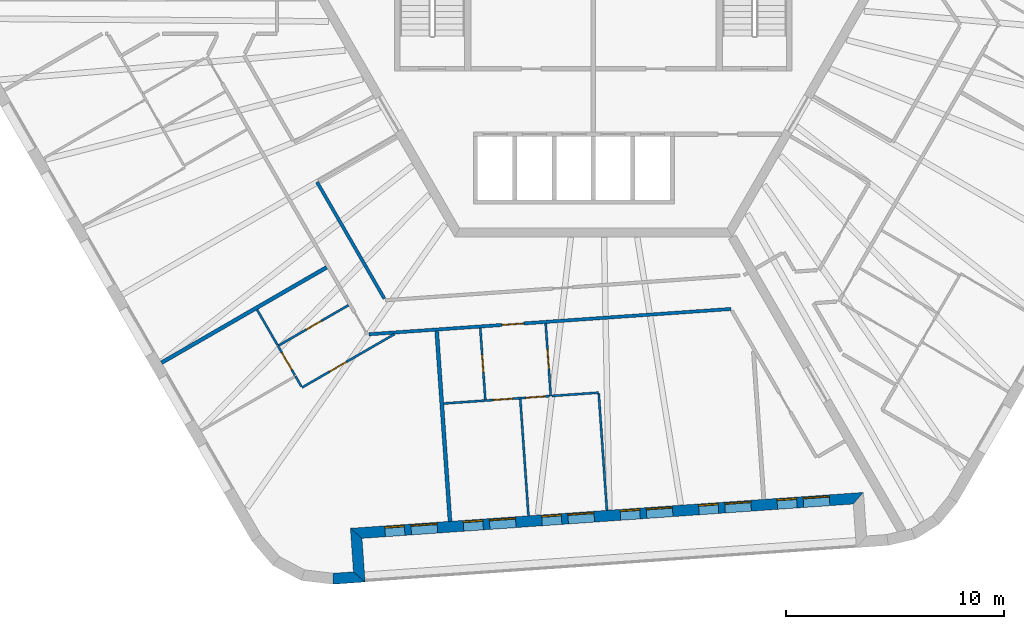
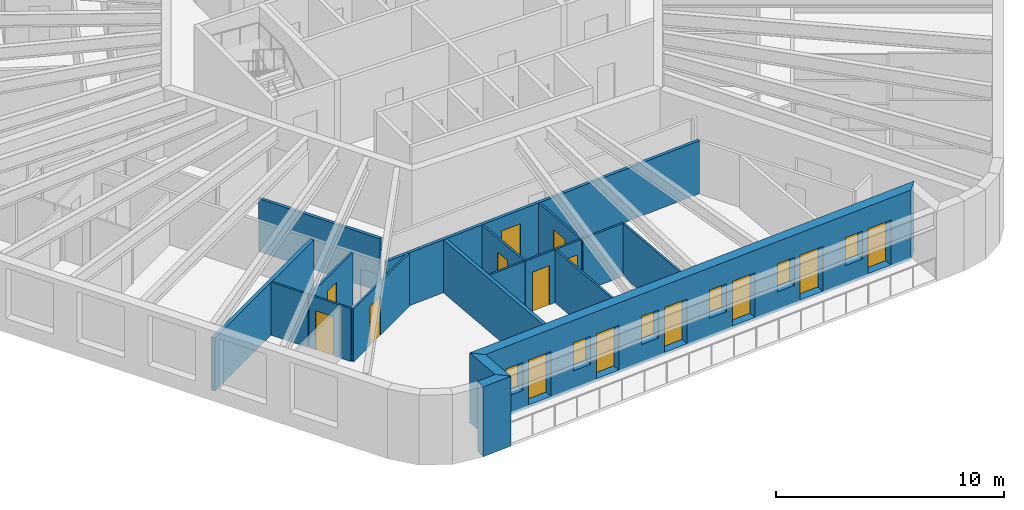
# One storey, part 3 of 12: 19 walls, 14 doors, 6 windows, 20 openings.
"""IFC4 building model written with IfcOpenShell, lengths in metres."""

from ifc_helpers import new_model, si_unit, direction, frame, frame_2d, origin, place, context, subcontext, project, spatial, polyline, rectangle, outline, extrude, material, layer, layer_set, type_object, element, fill, save


model = new_model("IFC4")

# Units and contexts
model_context = context("Model", 3, precision=1e-05, world=origin(), true_north=direction((0.0, 1.0)))
body_context = subcontext(model_context, "Body", "Model", "MODEL_VIEW")
ifc_project = project(units=[si_unit("LENGTHUNIT", "METRE"), si_unit("AREAUNIT", "SQUARE_METRE"), si_unit("VOLUMEUNIT", "CUBIC_METRE"), si_unit("PLANEANGLEUNIT", "RADIAN"), si_unit("MASSUNIT", "GRAM", prefix="KILO")], contexts=[model_context])

# Site, building, storey
site_placement = place(None, origin())
site = spatial("IfcSite", under=ifc_project, at=site_placement, CompositionType="ELEMENT")
building_placement = place(site_placement, origin())
building = spatial("IfcBuilding", under=site, at=building_placement, Name="Tarnside Tower", CompositionType="ELEMENT")
storey_placement = place(building_placement, frame((0.0, 0.0, 334.199951171875)))
storey = spatial("IfcBuildingStorey", under=building, at=storey_placement, Name="L81", CompositionType="ELEMENT", Elevation=334.199951171875)

# Wall, opening, door
ifc_material_1 = material(Name="Gypsum board partition on steel studs", Category="steel")
ifc_layer_1 = layer(ifc_material_1, 0.10009765625)
ifc_layer_set_1 = layer_set([ifc_layer_1], Name="Bathroom wall 100")
wall_type_1 = type_object("IfcWallType", Name="Bathroom wall 100", PredefinedType="PARTITIONING", material=ifc_layer_set_1)
wall_1_placement = place(storey_placement, frame((-11.215087890625, -14.124755859375, 0.0), z_axis=(0.0, 0.0, 1.0), x_axis=(-0.866028424924, -0.499994767197, 0.0)))
wall_1 = element("IfcWall", 1, at=wall_1_placement, inside=storey, type_object=wall_type_1, Name="Bathroom wall 26125", PredefinedType="PARTITIONING", context=body_context, shape_type="SweptSolid", body=[
    extrude(rectangle(XDim=3.72509765625, YDim=0.10009765625, at=frame_2d((1.862548828125, 0.0))), origin(), (0.0, 0.0, 1.0), 2.837890625),
])
opening_1_placement = place(wall_1_placement, frame((1.425048828125, 0.0, 0.0)))
opening_1 = element("IfcOpeningElement", 2, at=opening_1_placement, cuts=wall_1, Name="Opening D-B1", PredefinedType="OPENING", context=body_context, shape_type="SweptSolid", body=[
    extrude(rectangle(XDim=0.800048828125, YDim=2.10009765625, at=frame_2d((0.39990234375, 1.050048828125))), frame((0.0, 0.06005859375, 0.0), z_axis=(0.0, -1.0, 0.0), x_axis=(1.0, 0.0, 0.0)), (0.0, 0.0, 1.0), 0.1201171875),
])
ifc_material_2 = material(Name="Timber door leaf", Category="wood")
door_type_1 = type_object("IfcDoorType", Name="Bathroom door 800", OperationType="NOTDEFINED", PredefinedType="DOOR", material=ifc_material_2)
door_1_placement = place(opening_1_placement, origin())
door_1 = element("IfcDoor", 3, at=door_1_placement, inside=storey, type_object=door_type_1, Name="Bathroom door 26031", OperationType="SINGLE_SWING_RIGHT", OverallHeight=2.10009765625, OverallWidth=0.800048828125, PredefinedType="DOOR", context=body_context, shape_type="SweptSolid", body=[
    extrude(rectangle(XDim=0.800048828125, YDim=2.10009765625, at=frame_2d((0.39990234375, 1.050048828125))), frame((0.0, 0.02490234375, 0.0), z_axis=(0.0, -1.0, 0.0), x_axis=(1.0, 0.0, 0.0)), (0.0, 0.0, 1.0), 0.050048828125),
])
fill(opening_1, door_1)

# Wall
wall_2_placement = place(storey_placement, frame((-15.396240234375, -14.333251953125, 0.0), z_axis=(0.0, 0.0, 1.0), x_axis=(0.500115926523, -0.865958463229, 0.0)))
element("IfcWall", 4, at=wall_2_placement, inside=storey, type_object=wall_type_1, Name="Bathroom wall 26127", PredefinedType="PARTITIONING", context=body_context, shape_type="SweptSolid", body=[
    extrude(rectangle(XDim=1.86181640625, YDim=0.10009765625, at=frame_2d((0.930908203125, 0.0))), origin(), (0.0, 0.0, 1.0), 2.837890625),
])

# Wall, opening, door
wall_3_placement = place(storey_placement, frame((-5.178955078125, -15.17333984375, 0.0), z_axis=(0.0, 0.0, 1.0), x_axis=(0.069754598287, -0.997564181403, 0.0)))
wall_3 = element("IfcWall", 5, at=wall_3_placement, inside=storey, type_object=wall_type_1, Name="Bathroom wall 26132", PredefinedType="PARTITIONING", context=body_context, shape_type="SweptSolid", body=[
    extrude(rectangle(XDim=3.324951171875, YDim=0.10009765625, at=frame_2d((1.66259765625, 0.0))), origin(), (0.0, 0.0, 1.0), 2.837890625),
])
opening_2_placement = place(wall_3_placement, frame((1.22509765625, 0.0, 0.0)))
opening_2 = element("IfcOpeningElement", 6, at=opening_2_placement, cuts=wall_3, Name="Opening D-B1", PredefinedType="OPENING", context=body_context, shape_type="SweptSolid", body=[
    extrude(rectangle(XDim=0.800048828125, YDim=2.10009765625, at=frame_2d((0.39990234375, 1.050048828125))), frame((0.0, 0.06005859375, 0.0), z_axis=(0.0, -1.0, 0.0), x_axis=(1.0, 0.0, 0.0)), (0.0, 0.0, 1.0), 0.1201171875),
])
door_2_placement = place(opening_2_placement, origin())
door_2 = element("IfcDoor", 7, at=door_2_placement, inside=storey, type_object=door_type_1, Name="Bathroom door 26035", OperationType="SINGLE_SWING_RIGHT", OverallHeight=2.10009765625, OverallWidth=0.800048828125, PredefinedType="DOOR", context=body_context, shape_type="SweptSolid", body=[
    extrude(rectangle(XDim=0.800048828125, YDim=2.10009765625, at=frame_2d((0.39990234375, 1.050048828125))), frame((0.0, 0.02490234375, 0.0), z_axis=(0.0, -1.0, 0.0), x_axis=(1.0, 0.0, 0.0)), (0.0, 0.0, 1.0), 0.050048828125),
])
fill(opening_2, door_2)

# Wall
wall_4_placement = place(storey_placement, frame((-6.852294921875, -18.623291015625, 0.0), z_axis=(0.0, 0.0, 1.0), x_axis=(0.997564079323, 0.069756058123, 0.0)))
element("IfcWall", 8, at=wall_4_placement, inside=storey, type_object=wall_type_1, Name="Bathroom wall 26135", PredefinedType="PARTITIONING", context=body_context, shape_type="SweptSolid", body=[
    extrude(rectangle(XDim=1.862060546875, YDim=0.10009765625, at=frame_2d((0.93115234375, 0.0))), origin(), (0.0, 0.0, 1.0), 2.837890625),
])

# Wall, opening, door
ifc_layer_2 = layer(ifc_material_1, 0.14990234375)
ifc_layer_set_2 = layer_set([ifc_layer_2], Name="Corridor wall 150 EI 60")
wall_type_2 = type_object("IfcWallType", Name="Corridor wall 150 EI 60", PredefinedType="PARTITIONING", material=ifc_layer_set_2)
wall_5_placement = place(storey_placement, frame((-10.2744140625, -15.454345703125, 0.0), z_axis=(0.0, 0.0, 1.0), x_axis=(0.997563645223, 0.069762265797, 0.0)))
wall_5 = element("IfcWall", 9, at=wall_5_placement, inside=storey, type_object=wall_type_2, Name="Corridor wall 26035", PredefinedType="PARTITIONING", context=body_context, shape_type="SweptSolid", body=[
    extrude(rectangle(XDim=16.605712890625, YDim=0.14990234375, at=frame_2d((8.302734375, 0.0))), origin(), (0.0, 0.0, 1.0), 2.837890625),
])
opening_3_placement = place(wall_5_placement, frame((6.1025390625, 0.0, 0.0)))
opening_3 = element("IfcOpeningElement", 10, at=opening_3_placement, cuts=wall_5, Name="Opening D-E1", PredefinedType="OPENING", context=body_context, shape_type="SweptSolid", body=[
    extrude(rectangle(XDim=1.0, YDim=2.10009765625, at=frame_2d((0.5, 1.050048828125))), frame((0.0, 0.0849609375, 0.0), z_axis=(0.0, -1.0, 0.0), x_axis=(1.0, 0.0, 0.0)), (0.0, 0.0, 1.0), 0.169921875),
])
door_type_2 = type_object("IfcDoorType", Name="Unit entrance door 1000 FD30S", OperationType="NOTDEFINED", PredefinedType="DOOR", material=ifc_material_2)
door_3_placement = place(opening_3_placement, origin())
door_3 = element("IfcDoor", 11, at=door_3_placement, inside=storey, type_object=door_type_2, Name="Unit door 26034", OperationType="SINGLE_SWING_RIGHT", OverallHeight=2.10009765625, OverallWidth=1.0, PredefinedType="DOOR", context=body_context, shape_type="SweptSolid", body=[
    extrude(rectangle(XDim=1.0, YDim=2.10009765625, at=frame_2d((0.5, 1.050048828125))), frame((0.0, 0.02490234375, 0.0), z_axis=(0.0, -1.0, 0.0), x_axis=(1.0, 0.0, 0.0)), (0.0, 0.0, 1.0), 0.050048828125),
])
fill(opening_3, door_3)

# Walls
wall_6_placement = place(storey_placement, frame((-9.56884765625, -13.826171875, 0.0), z_axis=(0.0, 0.0, 1.0), x_axis=(-0.500017101833, 0.866015529811, 0.0)))
element("IfcWall", 12, at=wall_6_placement, inside=storey, type_object=wall_type_2, Name="Corridor wall 26052", PredefinedType="PARTITIONING", context=body_context, shape_type="SweptSolid", body=[
    extrude(rectangle(XDim=6.168212890625, YDim=0.14990234375, at=frame_2d((3.083984375, 0.0))), origin(), (0.0, 0.0, 1.0), 2.837890625),
])
ifc_layer_3 = layer(ifc_material_1, 0.179931640625)
ifc_layer_set_3 = layer_set([ifc_layer_3], Name="Demising wall 180 EI 60")
wall_type_3 = type_object("IfcWallType", Name="Demising wall 180 EI 60", PredefinedType="PARTITIONING", material=ifc_layer_set_3)
for number, where, z_axis, x_axis, name in (
    (13, (-19.771240234375, -16.755126953125, 0.0), (0.0, 0.0, 1.0), (0.866025292695, 0.500000192413, 0.0), "Demising wall 26111"),
    (14, (-6.5654296875, -24.0166015625, 0.0), (0.0, 0.0, 1.0), (-0.06975756604, 0.997563973878, 0.0), "Demising wall 26123"),
):
    element("IfcWall", number, at=place(storey_placement, frame(where, z_axis=z_axis, x_axis=x_axis)), inside=storey, type_object=wall_type_3, Name=name, PredefinedType="PARTITIONING", context=body_context, shape_type="SweptSolid", body=[
        extrude(rectangle(XDim=8.72509765625, YDim=0.179931640625, at=frame_2d((4.362548828125, 0.0))), origin(), (0.0, 0.0, 1.0), 2.837890625),
    ])
ifc_material_3 = material(Name="Dark zinc cladding")
ifc_layer_4 = layer(ifc_material_3, 0.10205078125)
ifc_material_4 = material(Name="Concrete C60/75 precast", Category="concrete")
ifc_layer_5 = layer(ifc_material_4, 0.298095703125)
ifc_material_5 = material(Name="Mineral wool insulation")
ifc_layer_6 = layer(ifc_material_5, 0.10009765625)
ifc_layer_set_4 = layer_set([ifc_layer_4, ifc_layer_5, ifc_layer_6], Name="Loggia wall 500 zinc faced")
wall_type_4 = type_object("IfcWallType", Name="Loggia wall 500 zinc faced", PredefinedType="SOLIDWALL", material=ifc_layer_set_4)
wall_7_placement = place(storey_placement, frame((-11.91748046875, -26.646240234375, -0.14990234375), z_axis=(0.0, 0.0, 1.0), x_axis=(0.997562933087, 0.069772448216, 0.0)))
element("IfcWall", 15, at=wall_7_placement, inside=storey, type_object=wall_type_4, Name="Tube wall L81 F4 stub 16", PredefinedType="SOLIDWALL", context=body_context, shape_type="SweptSolid", body=[
    extrude(outline(polyline([(-0.0234375, -0.25), (1.4501953125, -0.25), (0.9501953125, 0.25), (0.0234375, 0.25), (-0.0234375, -0.25)])), origin(), (0.0, 0.0, 1.0), 3.75),
])
wall_8_placement = place(storey_placement, frame((-10.72021484375, -26.5625, -0.14990234375), z_axis=(0.0, 0.0, 1.0), x_axis=(-0.069824268692, 0.99755930726, 0.0)))
element("IfcWall", 16, at=wall_8_placement, inside=storey, type_object=wall_type_4, Name="Tube wall L81 F4 return 17", PredefinedType="SOLIDWALL", context=body_context, shape_type="SweptSolid", body=[
    extrude(outline(polyline([(-0.25, -0.25), (1.75, -0.25), (2.25, 0.25), (0.25, 0.25), (-0.25, -0.25)])), origin(), (0.0, 0.0, 1.0), 3.75),
])

# Wall, openings, doors, windows
wall_9_placement = place(storey_placement, frame((-10.85986328125, -24.5673828125, -0.14990234375), z_axis=(0.0, 0.0, 1.0), x_axis=(0.997564329317, 0.06975248292, 0.0)))
wall_9 = element("IfcWall", 17, at=wall_9_placement, inside=storey, type_object=wall_type_4, Name="Tube wall L81 F4 back 18", PredefinedType="SOLIDWALL", context=body_context, shape_type="SweptSolid", body=[
    extrude(outline(polyline([(0.25, -0.25), (22.794677734375, -0.25), (23.294677734375, 0.25), (-0.25, 0.25), (0.25, -0.25)])), origin(), (0.0, 0.0, 1.0), 3.75),
])
opening_4_placement = place(wall_9_placement, frame((1.322509765625, 0.0, 1.050048828125)))
opening_4 = element("IfcOpeningElement", 18, at=opening_4_placement, cuts=wall_9, Name="Opening WL500", PredefinedType="OPENING", context=body_context, shape_type="SweptSolid", body=[
    extrude(rectangle(XDim=0.89990234375, YDim=1.5, at=frame_2d((0.449951171875, 0.75))), frame((0.0, 0.260009765625, 0.0), z_axis=(0.0, -1.0, 0.0), x_axis=(1.0, 0.0, 0.0)), (0.0, 0.0, 1.0), 0.52001953125),
])
opening_5_placement = place(wall_9_placement, frame((2.5224609375, 0.0, 0.14990234375)))
opening_5 = element("IfcOpeningElement", 19, at=opening_5_placement, cuts=wall_9, Name="Opening DB500", PredefinedType="OPENING", context=body_context, shape_type="SweptSolid", body=[
    extrude(rectangle(XDim=1.199951171875, YDim=2.39990234375, at=frame_2d((0.60009765625, 1.199951171875))), frame((0.0, 0.260009765625, 0.0), z_axis=(0.0, -1.0, 0.0), x_axis=(1.0, 0.0, 0.0)), (0.0, 0.0, 1.0), 0.52001953125),
])
opening_6_placement = place(wall_9_placement, frame((4.92236328125, 0.0, 1.050048828125)))
opening_6 = element("IfcOpeningElement", 20, at=opening_6_placement, cuts=wall_9, Name="Opening WL500", PredefinedType="OPENING", context=body_context, shape_type="SweptSolid", body=[
    extrude(rectangle(XDim=0.89990234375, YDim=1.5, at=frame_2d((0.449951171875, 0.75))), frame((0.0, 0.260009765625, 0.0), z_axis=(0.0, -1.0, 0.0), x_axis=(1.0, 0.0, 0.0)), (0.0, 0.0, 1.0), 0.52001953125),
])
opening_7_placement = place(wall_9_placement, frame((6.122314453125, 0.0, 0.14990234375)))
opening_7 = element("IfcOpeningElement", 21, at=opening_7_placement, cuts=wall_9, Name="Opening DB500", PredefinedType="OPENING", context=body_context, shape_type="SweptSolid", body=[
    extrude(rectangle(XDim=1.199951171875, YDim=2.39990234375, at=frame_2d((0.60009765625, 1.199951171875))), frame((0.0, 0.260009765625, 0.0), z_axis=(0.0, -1.0, 0.0), x_axis=(1.0, 0.0, 0.0)), (0.0, 0.0, 1.0), 0.52001953125),
])
opening_8_placement = place(wall_9_placement, frame((8.5224609375, 0.0, 1.050048828125)))
opening_8 = element("IfcOpeningElement", 22, at=opening_8_placement, cuts=wall_9, Name="Opening WL500", PredefinedType="OPENING", context=body_context, shape_type="SweptSolid", body=[
    extrude(rectangle(XDim=0.89990234375, YDim=1.5, at=frame_2d((0.449951171875, 0.75))), frame((0.0, 0.260009765625, 0.0), z_axis=(0.0, -1.0, 0.0), x_axis=(1.0, 0.0, 0.0)), (0.0, 0.0, 1.0), 0.52001953125),
])
opening_9_placement = place(wall_9_placement, frame((9.722412109375, 0.0, 0.14990234375)))
opening_9 = element("IfcOpeningElement", 23, at=opening_9_placement, cuts=wall_9, Name="Opening DB500", PredefinedType="OPENING", context=body_context, shape_type="SweptSolid", body=[
    extrude(rectangle(XDim=1.199951171875, YDim=2.39990234375, at=frame_2d((0.60009765625, 1.199951171875))), frame((0.0, 0.260009765625, 0.0), z_axis=(0.0, -1.0, 0.0), x_axis=(1.0, 0.0, 0.0)), (0.0, 0.0, 1.0), 0.52001953125),
])
opening_10_placement = place(wall_9_placement, frame((12.122314453125, 0.0, 1.050048828125)))
opening_10 = element("IfcOpeningElement", 24, at=opening_10_placement, cuts=wall_9, Name="Opening WL500", PredefinedType="OPENING", context=body_context, shape_type="SweptSolid", body=[
    extrude(rectangle(XDim=0.89990234375, YDim=1.5, at=frame_2d((0.449951171875, 0.75))), frame((0.0, 0.260009765625, 0.0), z_axis=(0.0, -1.0, 0.0), x_axis=(1.0, 0.0, 0.0)), (0.0, 0.0, 1.0), 0.52001953125),
])
opening_11_placement = place(wall_9_placement, frame((13.322509765625, 0.0, 0.14990234375)))
opening_11 = element("IfcOpeningElement", 25, at=opening_11_placement, cuts=wall_9, Name="Opening DB500", PredefinedType="OPENING", context=body_context, shape_type="SweptSolid", body=[
    extrude(rectangle(XDim=1.199951171875, YDim=2.39990234375, at=frame_2d((0.60009765625, 1.199951171875))), frame((0.0, 0.260009765625, 0.0), z_axis=(0.0, -1.0, 0.0), x_axis=(1.0, 0.0, 0.0)), (0.0, 0.0, 1.0), 0.52001953125),
])
opening_12_placement = place(wall_9_placement, frame((15.722412109375, 0.0, 1.050048828125)))
opening_12 = element("IfcOpeningElement", 26, at=opening_12_placement, cuts=wall_9, Name="Opening WL500", PredefinedType="OPENING", context=body_context, shape_type="SweptSolid", body=[
    extrude(rectangle(XDim=0.89990234375, YDim=1.5, at=frame_2d((0.449951171875, 0.75))), frame((0.0, 0.260009765625, 0.0), z_axis=(0.0, -1.0, 0.0), x_axis=(1.0, 0.0, 0.0)), (0.0, 0.0, 1.0), 0.52001953125),
])
opening_13_placement = place(wall_9_placement, frame((16.92236328125, 0.0, 0.14990234375)))
opening_13 = element("IfcOpeningElement", 27, at=opening_13_placement, cuts=wall_9, Name="Opening DB500", PredefinedType="OPENING", context=body_context, shape_type="SweptSolid", body=[
    extrude(rectangle(XDim=1.199951171875, YDim=2.39990234375, at=frame_2d((0.60009765625, 1.199951171875))), frame((0.0, 0.260009765625, 0.0), z_axis=(0.0, -1.0, 0.0), x_axis=(1.0, 0.0, 0.0)), (0.0, 0.0, 1.0), 0.52001953125),
])
opening_14_placement = place(wall_9_placement, frame((19.322509765625, 0.0, 1.050048828125)))
opening_14 = element("IfcOpeningElement", 28, at=opening_14_placement, cuts=wall_9, Name="Opening WL500", PredefinedType="OPENING", context=body_context, shape_type="SweptSolid", body=[
    extrude(rectangle(XDim=0.89990234375, YDim=1.5, at=frame_2d((0.449951171875, 0.75))), frame((0.0, 0.260009765625, 0.0), z_axis=(0.0, -1.0, 0.0), x_axis=(1.0, 0.0, 0.0)), (0.0, 0.0, 1.0), 0.52001953125),
])
opening_15_placement = place(wall_9_placement, frame((20.5224609375, 0.0, 0.14990234375)))
opening_15 = element("IfcOpeningElement", 29, at=opening_15_placement, cuts=wall_9, Name="Opening DB500", PredefinedType="OPENING", context=body_context, shape_type="SweptSolid", body=[
    extrude(rectangle(XDim=1.199951171875, YDim=2.39990234375, at=frame_2d((0.60009765625, 1.199951171875))), frame((0.0, 0.260009765625, 0.0), z_axis=(0.0, -1.0, 0.0), x_axis=(1.0, 0.0, 0.0)), (0.0, 0.0, 1.0), 0.52001953125),
])
ifc_material_6 = material(Name="Aluminium-framed double glazing", Category="aluminium")
door_type_3 = type_object("IfcDoorType", Name="Balcony sliding door 1200 x 2400 in 500 wall", OperationType="SLIDING_TO_LEFT", PredefinedType="DOOR", material=ifc_material_6)
door_4_placement = place(opening_5_placement, frame((0.0, 0.1748046875, 0.0)))
door_4 = element("IfcDoor", 30, at=door_4_placement, inside=storey, type_object=door_type_3, Name="E.BD.L81.F4.00", OperationType="SLIDING_TO_LEFT", OverallHeight=2.39990234375, OverallWidth=1.199951171875, PredefinedType="DOOR", context=body_context, shape_type="SweptSolid", body=[
    extrude(rectangle(XDim=1.199951171875, YDim=2.39990234375, at=frame_2d((0.60009765625, 1.199951171875))), frame((0.0, 0.02490234375, 0.0), z_axis=(0.0, -1.0, 0.0), x_axis=(1.0, 0.0, 0.0)), (0.0, 0.0, 1.0), 0.050048828125),
])
fill(opening_5, door_4)
door_5_placement = place(opening_7_placement, frame((0.0, 0.1748046875, 0.0)))
door_5 = element("IfcDoor", 31, at=door_5_placement, inside=storey, type_object=door_type_3, Name="E.BD.L81.F4.01", OperationType="SLIDING_TO_LEFT", OverallHeight=2.39990234375, OverallWidth=1.199951171875, PredefinedType="DOOR", context=body_context, shape_type="SweptSolid", body=[
    extrude(rectangle(XDim=1.199951171875, YDim=2.39990234375, at=frame_2d((0.60009765625, 1.199951171875))), frame((0.0, 0.02490234375, 0.0), z_axis=(0.0, -1.0, 0.0), x_axis=(1.0, 0.0, 0.0)), (0.0, 0.0, 1.0), 0.050048828125),
])
fill(opening_7, door_5)
door_6_placement = place(opening_9_placement, frame((0.0, 0.1748046875, 0.0)))
door_6 = element("IfcDoor", 32, at=door_6_placement, inside=storey, type_object=door_type_3, Name="E.BD.L81.F4.02", OperationType="SLIDING_TO_LEFT", OverallHeight=2.39990234375, OverallWidth=1.199951171875, PredefinedType="DOOR", context=body_context, shape_type="SweptSolid", body=[
    extrude(rectangle(XDim=1.199951171875, YDim=2.39990234375, at=frame_2d((0.60009765625, 1.199951171875))), frame((0.0, 0.02490234375, 0.0), z_axis=(0.0, -1.0, 0.0), x_axis=(1.0, 0.0, 0.0)), (0.0, 0.0, 1.0), 0.050048828125),
])
fill(opening_9, door_6)
door_7_placement = place(opening_11_placement, frame((0.0, 0.1748046875, 0.0)))
door_7 = element("IfcDoor", 33, at=door_7_placement, inside=storey, type_object=door_type_3, Name="E.BD.L81.F4.03", OperationType="SLIDING_TO_LEFT", OverallHeight=2.39990234375, OverallWidth=1.199951171875, PredefinedType="DOOR", context=body_context, shape_type="SweptSolid", body=[
    extrude(rectangle(XDim=1.199951171875, YDim=2.39990234375, at=frame_2d((0.60009765625, 1.199951171875))), frame((0.0, 0.02490234375, 0.0), z_axis=(0.0, -1.0, 0.0), x_axis=(1.0, 0.0, 0.0)), (0.0, 0.0, 1.0), 0.050048828125),
])
fill(opening_11, door_7)
door_8_placement = place(opening_13_placement, frame((0.0, 0.1748046875, 0.0)))
door_8 = element("IfcDoor", 34, at=door_8_placement, inside=storey, type_object=door_type_3, Name="E.BD.L81.F4.04", OperationType="SLIDING_TO_LEFT", OverallHeight=2.39990234375, OverallWidth=1.199951171875, PredefinedType="DOOR", context=body_context, shape_type="SweptSolid", body=[
    extrude(rectangle(XDim=1.199951171875, YDim=2.39990234375, at=frame_2d((0.60009765625, 1.199951171875))), frame((0.0, 0.02490234375, 0.0), z_axis=(0.0, -1.0, 0.0), x_axis=(1.0, 0.0, 0.0)), (0.0, 0.0, 1.0), 0.050048828125),
])
fill(opening_13, door_8)
door_9_placement = place(opening_15_placement, frame((0.0, 0.1748046875, 0.0)))
door_9 = element("IfcDoor", 35, at=door_9_placement, inside=storey, type_object=door_type_3, Name="E.BD.L81.F4.05", OperationType="SLIDING_TO_LEFT", OverallHeight=2.39990234375, OverallWidth=1.199951171875, PredefinedType="DOOR", context=body_context, shape_type="SweptSolid", body=[
    extrude(rectangle(XDim=1.199951171875, YDim=2.39990234375, at=frame_2d((0.60009765625, 1.199951171875))), frame((0.0, 0.02490234375, 0.0), z_axis=(0.0, -1.0, 0.0), x_axis=(1.0, 0.0, 0.0)), (0.0, 0.0, 1.0), 0.050048828125),
])
fill(opening_15, door_9)
window_type = type_object("IfcWindowType", Name="Loggia window 900 x 1500 in 500 wall", PartitioningType="SINGLE_PANEL", PredefinedType="WINDOW", material=ifc_material_6)
window_1_placement = place(opening_4_placement, frame((0.0, 0.179931640625, 0.0)))
window_1 = element("IfcWindow", 36, at=window_1_placement, inside=storey, type_object=window_type, Name="E.LW.L81.F4.00", OverallHeight=1.5, OverallWidth=0.89990234375, PartitioningType="SINGLE_PANEL", PredefinedType="WINDOW", context=body_context, shape_type="SweptSolid", body=[
    extrude(rectangle(XDim=0.89990234375, YDim=1.5, at=frame_2d((0.449951171875, 0.75))), frame((0.0, 0.030029296875, 0.0), z_axis=(0.0, -1.0, 0.0), x_axis=(1.0, 0.0, 0.0)), (0.0, 0.0, 1.0), 0.06005859375),
])
fill(opening_4, window_1)
window_2_placement = place(opening_6_placement, frame((0.0, 0.179931640625, 0.0)))
window_2 = element("IfcWindow", 37, at=window_2_placement, inside=storey, type_object=window_type, Name="E.LW.L81.F4.01", OverallHeight=1.5, OverallWidth=0.89990234375, PartitioningType="SINGLE_PANEL", PredefinedType="WINDOW", context=body_context, shape_type="SweptSolid", body=[
    extrude(rectangle(XDim=0.89990234375, YDim=1.5, at=frame_2d((0.449951171875, 0.75))), frame((0.0, 0.030029296875, 0.0), z_axis=(0.0, -1.0, 0.0), x_axis=(1.0, 0.0, 0.0)), (0.0, 0.0, 1.0), 0.06005859375),
])
fill(opening_6, window_2)
window_3_placement = place(opening_8_placement, frame((0.0, 0.179931640625, 0.0)))
window_3 = element("IfcWindow", 38, at=window_3_placement, inside=storey, type_object=window_type, Name="E.LW.L81.F4.02", OverallHeight=1.5, OverallWidth=0.89990234375, PartitioningType="SINGLE_PANEL", PredefinedType="WINDOW", context=body_context, shape_type="SweptSolid", body=[
    extrude(rectangle(XDim=0.89990234375, YDim=1.5, at=frame_2d((0.449951171875, 0.75))), frame((0.0, 0.030029296875, 0.0), z_axis=(0.0, -1.0, 0.0), x_axis=(1.0, 0.0, 0.0)), (0.0, 0.0, 1.0), 0.06005859375),
])
fill(opening_8, window_3)
window_4_placement = place(opening_10_placement, frame((0.0, 0.179931640625, 0.0)))
window_4 = element("IfcWindow", 39, at=window_4_placement, inside=storey, type_object=window_type, Name="E.LW.L81.F4.03", OverallHeight=1.5, OverallWidth=0.89990234375, PartitioningType="SINGLE_PANEL", PredefinedType="WINDOW", context=body_context, shape_type="SweptSolid", body=[
    extrude(rectangle(XDim=0.89990234375, YDim=1.5, at=frame_2d((0.449951171875, 0.75))), frame((0.0, 0.030029296875, 0.0), z_axis=(0.0, -1.0, 0.0), x_axis=(1.0, 0.0, 0.0)), (0.0, 0.0, 1.0), 0.06005859375),
])
fill(opening_10, window_4)
window_5_placement = place(opening_12_placement, frame((0.0, 0.179931640625, 0.0)))
window_5 = element("IfcWindow", 40, at=window_5_placement, inside=storey, type_object=window_type, Name="E.LW.L81.F4.04", OverallHeight=1.5, OverallWidth=0.89990234375, PartitioningType="SINGLE_PANEL", PredefinedType="WINDOW", context=body_context, shape_type="SweptSolid", body=[
    extrude(rectangle(XDim=0.89990234375, YDim=1.5, at=frame_2d((0.449951171875, 0.75))), frame((0.0, 0.030029296875, 0.0), z_axis=(0.0, -1.0, 0.0), x_axis=(1.0, 0.0, 0.0)), (0.0, 0.0, 1.0), 0.06005859375),
])
fill(opening_12, window_5)
window_6_placement = place(opening_14_placement, frame((0.0, 0.179931640625, 0.0)))
window_6 = element("IfcWindow", 41, at=window_6_placement, inside=storey, type_object=window_type, Name="E.LW.L81.F4.05", OverallHeight=1.5, OverallWidth=0.89990234375, PartitioningType="SINGLE_PANEL", PredefinedType="WINDOW", context=body_context, shape_type="SweptSolid", body=[
    extrude(rectangle(XDim=0.89990234375, YDim=1.5, at=frame_2d((0.449951171875, 0.75))), frame((0.0, 0.030029296875, 0.0), z_axis=(0.0, -1.0, 0.0), x_axis=(1.0, 0.0, 0.0)), (0.0, 0.0, 1.0), 0.06005859375),
])
fill(opening_14, window_6)

# Wall, opening, door
ifc_layer_7 = layer(ifc_material_1, 0.10009765625)
ifc_layer_set_5 = layer_set([ifc_layer_7], Name="Partition 100")
wall_type_5 = type_object("IfcWallType", Name="Partition 100", PredefinedType="PARTITIONING", material=ifc_layer_set_5)
wall_10_placement = place(storey_placement, frame((-9.10693359375, -15.447998046875, 0.0), z_axis=(0.0, 0.0, 1.0), x_axis=(-0.866025094983, -0.500000534859, 0.0)))
wall_10 = element("IfcWall", 42, at=wall_10_placement, inside=storey, type_object=wall_type_5, Name="Partition wall 26120", PredefinedType="PARTITIONING", context=body_context, shape_type="SweptSolid", body=[
    extrude(rectangle(XDim=4.88916015625, YDim=0.10009765625, at=frame_2d((2.444580078125, 0.0))), origin(), (0.0, 0.0, 1.0), 2.837890625),
])
opening_16_placement = place(wall_10_placement, frame((2.539306640625, 0.0, 0.0)))
opening_16 = element("IfcOpeningElement", 43, at=opening_16_placement, cuts=wall_10, Name="Opening D-I1", PredefinedType="OPENING", context=body_context, shape_type="SweptSolid", body=[
    extrude(rectangle(XDim=0.89990234375, YDim=2.10009765625, at=frame_2d((0.449951171875, 1.050048828125))), frame((0.0, 0.06005859375, 0.0), z_axis=(0.0, -1.0, 0.0), x_axis=(1.0, 0.0, 0.0)), (0.0, 0.0, 1.0), 0.1201171875),
])
door_type_4 = type_object("IfcDoorType", Name="Internal door 900", OperationType="NOTDEFINED", PredefinedType="DOOR", material=ifc_material_2)
door_10_placement = place(opening_16_placement, origin())
door_10 = element("IfcDoor", 44, at=door_10_placement, inside=storey, type_object=door_type_4, Name="Internal door 26032", OperationType="SINGLE_SWING_LEFT", OverallHeight=2.10009765625, OverallWidth=0.89990234375, PredefinedType="DOOR", context=body_context, shape_type="SweptSolid", body=[
    extrude(rectangle(XDim=0.89990234375, YDim=2.10009765625, at=frame_2d((0.449951171875, 1.050048828125))), frame((0.0, 0.02490234375, 0.0), z_axis=(0.0, -1.0, 0.0), x_axis=(1.0, 0.0, 0.0)), (0.0, 0.0, 1.0), 0.050048828125),
])
fill(opening_16, door_10)

# Wall
wall_11_placement = place(storey_placement, frame((-13.3662109375, -17.84912109375, 0.0), z_axis=(0.0, 0.0, 1.0), x_axis=(-0.499850094852, 0.866111934265, 0.0)))
element("IfcWall", 45, at=wall_11_placement, inside=storey, type_object=wall_type_5, Name="Partition wall 26121", PredefinedType="PARTITIONING", context=body_context, shape_type="SweptSolid", body=[
    extrude(rectangle(XDim=0.552001953125, YDim=0.10009765625, at=frame_2d((0.27587890625, 0.0))), origin(), (0.0, 0.0, 1.0), 2.837890625),
])

# Wall, opening, door
wall_12_placement = place(storey_placement, frame((-14.442138671875, -15.985595703125, 0.0), z_axis=(0.0, 0.0, 1.0), x_axis=(0.50008102322, -0.865978619952, 0.0)))
wall_12 = element("IfcWall", 46, at=wall_12_placement, inside=storey, type_object=wall_type_5, Name="Partition wall 26126", PredefinedType="PARTITIONING", context=body_context, shape_type="SweptSolid", body=[
    extrude(rectangle(XDim=1.552001953125, YDim=0.10009765625, at=frame_2d((0.77587890625, 0.0))), origin(), (0.0, 0.0, 1.0), 2.837890625),
])
opening_17_placement = place(wall_12_placement, frame((0.35205078125, 0.0, 0.0)))
opening_17 = element("IfcOpeningElement", 47, at=opening_17_placement, cuts=wall_12, Name="Opening D-I1", PredefinedType="OPENING", context=body_context, shape_type="SweptSolid", body=[
    extrude(rectangle(XDim=0.89990234375, YDim=2.10009765625, at=frame_2d((0.449951171875, 1.050048828125))), frame((0.0, 0.06005859375, 0.0), z_axis=(0.0, -1.0, 0.0), x_axis=(1.0, 0.0, 0.0)), (0.0, 0.0, 1.0), 0.1201171875),
])
door_11_placement = place(opening_17_placement, origin())
door_11 = element("IfcDoor", 48, at=door_11_placement, inside=storey, type_object=door_type_4, Name="Internal door 26033", OperationType="SINGLE_SWING_LEFT", OverallHeight=2.10009765625, OverallWidth=0.89990234375, PredefinedType="DOOR", context=body_context, shape_type="SweptSolid", body=[
    extrude(rectangle(XDim=0.89990234375, YDim=2.10009765625, at=frame_2d((0.449951171875, 1.050048828125))), frame((0.0, 0.02490234375, 0.0), z_axis=(0.0, -1.0, 0.0), x_axis=(1.0, 0.0, 0.0)), (0.0, 0.0, 1.0), 0.050048828125),
])
fill(opening_17, door_11)

wall_13_placement = place(storey_placement, frame((-2.186279296875, -14.9638671875, 0.0), z_axis=(0.0, 0.0, 1.0), x_axis=(0.069754598287, -0.997564181403, 0.0)))
wall_13 = element("IfcWall", 49, at=wall_13_placement, inside=storey, type_object=wall_type_5, Name="Partition wall 26128", PredefinedType="PARTITIONING", context=body_context, shape_type="SweptSolid", body=[
    extrude(rectangle(XDim=3.324951171875, YDim=0.10009765625, at=frame_2d((1.66259765625, 0.0))), origin(), (0.0, 0.0, 1.0), 2.837890625),
])
opening_18_placement = place(wall_13_placement, frame((1.175048828125, 0.0, 0.0)))
opening_18 = element("IfcOpeningElement", 50, at=opening_18_placement, cuts=wall_13, Name="Opening D-I1", PredefinedType="OPENING", context=body_context, shape_type="SweptSolid", body=[
    extrude(rectangle(XDim=0.89990234375, YDim=2.10009765625, at=frame_2d((0.449951171875, 1.050048828125))), frame((0.0, 0.06005859375, 0.0), z_axis=(0.0, -1.0, 0.0), x_axis=(1.0, 0.0, 0.0)), (0.0, 0.0, 1.0), 0.1201171875),
])
door_12_placement = place(opening_18_placement, origin())
door_12 = element("IfcDoor", 51, at=door_12_placement, inside=storey, type_object=door_type_4, Name="Internal door 26036", OperationType="SINGLE_SWING_RIGHT", OverallHeight=2.10009765625, OverallWidth=0.89990234375, PredefinedType="DOOR", context=body_context, shape_type="SweptSolid", body=[
    extrude(rectangle(XDim=0.89990234375, YDim=2.10009765625, at=frame_2d((0.449951171875, 1.050048828125))), frame((0.0, 0.02490234375, 0.0), z_axis=(0.0, -1.0, 0.0), x_axis=(1.0, 0.0, 0.0)), (0.0, 0.0, 1.0), 0.050048828125),
])
fill(opening_18, door_12)

# Walls
wall_14_placement = place(storey_placement, frame((-1.906494140625, -18.277587890625, 0.0), z_axis=(0.0, 0.0, 1.0), x_axis=(0.997563548072, 0.069763654999, 0.0)))
element("IfcWall", 52, at=wall_14_placement, inside=storey, type_object=wall_type_5, Name="Partition wall 26129", PredefinedType="PARTITIONING", context=body_context, shape_type="SweptSolid", body=[
    extrude(rectangle(XDim=2.152099609375, YDim=0.10009765625, at=frame_2d((1.076171875, 0.0))), origin(), (0.0, 0.0, 1.0), 2.837890625),
])
wall_15_placement = place(storey_placement, frame((0.243896484375, -18.17724609375, 0.0), z_axis=(0.0, 0.0, 1.0), x_axis=(0.069729221413, -0.997565955554, 0.0)))
element("IfcWall", 53, at=wall_15_placement, inside=storey, type_object=wall_type_5, Name="Partition wall 26130", PredefinedType="PARTITIONING", context=body_context, shape_type="SweptSolid", body=[
    extrude(rectangle(XDim=5.349853515625, YDim=0.10009765625, at=frame_2d((2.6748046875, 0.0))), origin(), (0.0, 0.0, 1.0), 2.837890625),
])

# Wall, openings, doors
wall_16_placement = place(storey_placement, frame((-4.948974609375, -18.490234375, 0.0), z_axis=(0.0, 0.0, 1.0), x_axis=(0.997564145845, 0.069755106801, 0.0)))
wall_16 = element("IfcWall", 54, at=wall_16_placement, inside=storey, type_object=wall_type_5, Name="Partition wall 26133", PredefinedType="PARTITIONING", context=body_context, shape_type="SweptSolid", body=[
    extrude(rectangle(XDim=2.953857421875, YDim=0.10009765625, at=frame_2d((1.47705078125, 0.0))), origin(), (0.0, 0.0, 1.0), 2.837890625),
])
opening_19_placement = place(wall_16_placement, frame((0.35205078125, 0.0, 0.0)))
opening_19 = element("IfcOpeningElement", 55, at=opening_19_placement, cuts=wall_16, Name="Opening D-I1", PredefinedType="OPENING", context=body_context, shape_type="SweptSolid", body=[
    extrude(rectangle(XDim=0.89990234375, YDim=2.10009765625, at=frame_2d((0.449951171875, 1.050048828125))), frame((0.0, 0.06005859375, 0.0), z_axis=(0.0, -1.0, 0.0), x_axis=(1.0, 0.0, 0.0)), (0.0, 0.0, 1.0), 0.1201171875),
])
opening_20_placement = place(wall_16_placement, frame((1.85205078125, 0.0, 0.0)))
opening_20 = element("IfcOpeningElement", 56, at=opening_20_placement, cuts=wall_16, Name="Opening D-I1", PredefinedType="OPENING", context=body_context, shape_type="SweptSolid", body=[
    extrude(rectangle(XDim=0.89990234375, YDim=2.10009765625, at=frame_2d((0.449951171875, 1.050048828125))), frame((0.0, 0.06005859375, 0.0), z_axis=(0.0, -1.0, 0.0), x_axis=(1.0, 0.0, 0.0)), (0.0, 0.0, 1.0), 0.1201171875),
])
door_13_placement = place(opening_19_placement, origin())
door_13 = element("IfcDoor", 57, at=door_13_placement, inside=storey, type_object=door_type_4, Name="Internal door 26037", OperationType="SINGLE_SWING_RIGHT", OverallHeight=2.10009765625, OverallWidth=0.89990234375, PredefinedType="DOOR", context=body_context, shape_type="SweptSolid", body=[
    extrude(rectangle(XDim=0.89990234375, YDim=2.10009765625, at=frame_2d((0.449951171875, 1.050048828125))), frame((0.0, 0.02490234375, 0.0), z_axis=(0.0, -1.0, 0.0), x_axis=(1.0, 0.0, 0.0)), (0.0, 0.0, 1.0), 0.050048828125),
])
fill(opening_19, door_13)
door_14_placement = place(opening_20_placement, origin())
door_14 = element("IfcDoor", 58, at=door_14_placement, inside=storey, type_object=door_type_4, Name="Internal door 26038", OperationType="SINGLE_SWING_LEFT", OverallHeight=2.10009765625, OverallWidth=0.89990234375, PredefinedType="DOOR", context=body_context, shape_type="SweptSolid", body=[
    extrude(rectangle(XDim=0.89990234375, YDim=2.10009765625, at=frame_2d((0.449951171875, 1.050048828125))), frame((0.0, 0.02490234375, 0.0), z_axis=(0.0, -1.0, 0.0), x_axis=(1.0, 0.0, 0.0)), (0.0, 0.0, 1.0), 0.050048828125),
])
fill(opening_20, door_14)

# Wall
wall_17_placement = place(storey_placement, frame((-2.97412109375, -23.765380859375, 0.0), z_axis=(0.0, 0.0, 1.0), x_axis=(-0.069774633622, 0.997562780231, 0.0)))
element("IfcWall", 59, at=wall_17_placement, inside=storey, type_object=wall_type_5, Name="Partition wall 26136", PredefinedType="PARTITIONING", context=body_context, shape_type="SweptSolid", body=[
    extrude(rectangle(XDim=5.349853515625, YDim=0.10009765625, at=frame_2d((2.6748046875, 0.0))), origin(), (0.0, 0.0, 1.0), 2.837890625),
])

save(model, "model.ifc")
